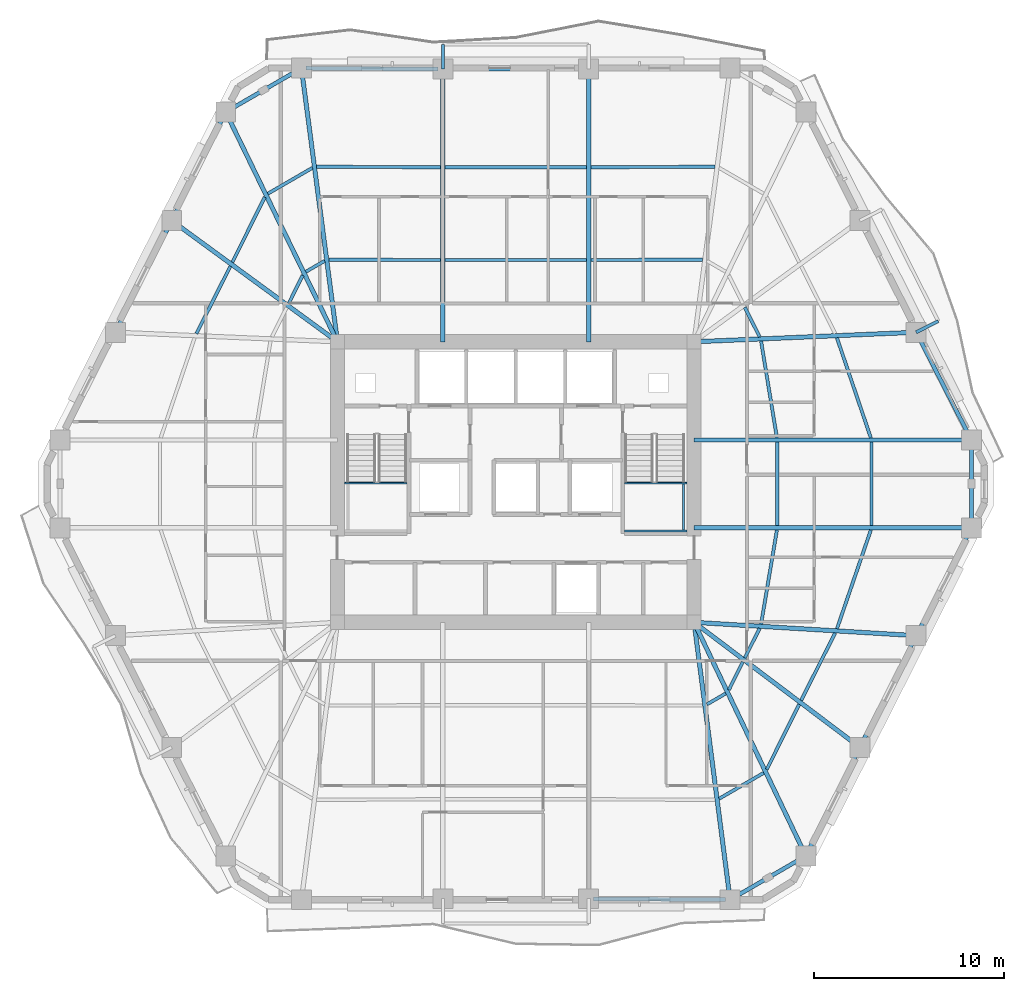
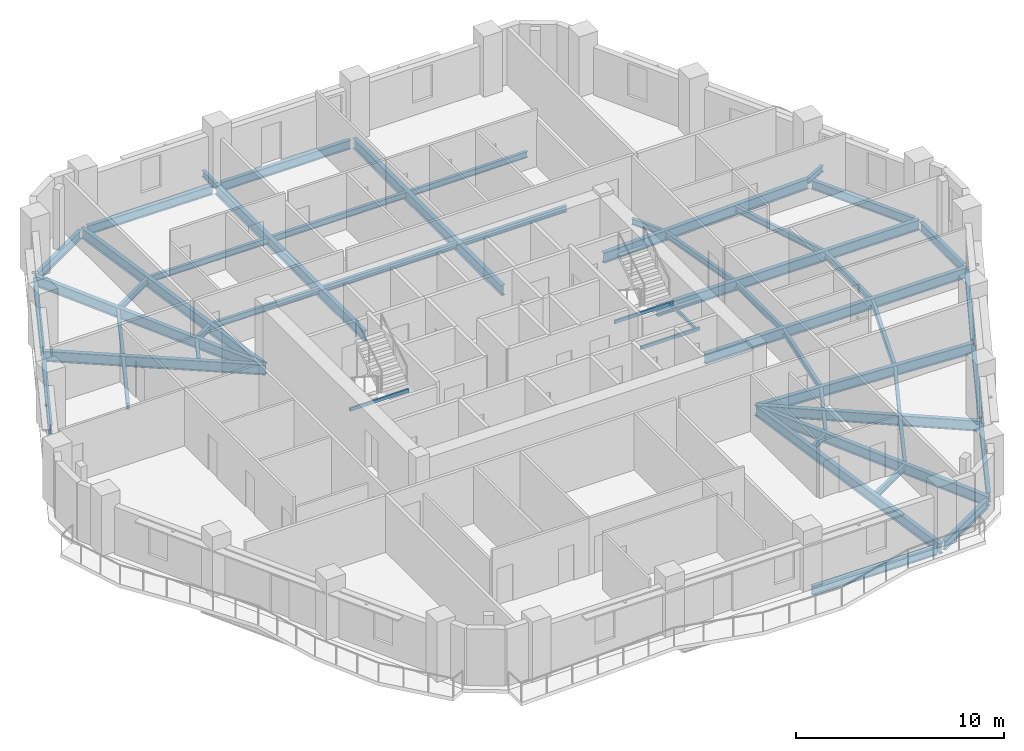
# One storey, part 2 of 12: 54 beams.
"""IFC4 building model written with IfcOpenShell, lengths in metres."""

from ifc_helpers import new_model, si_unit, direction, frame, origin, origin_2d, place, context, subcontext, project, spatial, hollow_rectangle, i_section, extrude, material, material_profile, profile_set, type_object, element, save


model = new_model("IFC4")

# Units and contexts
model_context = context("Model", 3, precision=1e-05, world=origin(), true_north=direction((0.0, 1.0)))
body_context = subcontext(model_context, "Body", "Model", "MODEL_VIEW")
ifc_project = project(units=[si_unit("LENGTHUNIT", "METRE"), si_unit("AREAUNIT", "SQUARE_METRE"), si_unit("VOLUMEUNIT", "CUBIC_METRE"), si_unit("PLANEANGLEUNIT", "RADIAN"), si_unit("MASSUNIT", "GRAM", prefix="KILO")], contexts=[model_context])

# Site, building, storey
site_placement = place(None, origin())
site = spatial("IfcSite", under=ifc_project, at=site_placement, CompositionType="ELEMENT")
building_placement = place(site_placement, origin())
building = spatial("IfcBuilding", under=site, at=building_placement, Name="Cinnabar Lancet Tower", CompositionType="ELEMENT")
storey_placement = place(building_placement, frame((0.0, 0.0, 109.050048828125)))
storey = spatial("IfcBuildingStorey", under=building, at=storey_placement, Name="L28", CompositionType="ELEMENT", Elevation=109.050048828125)

# Beams
ifc_material_1 = material(Name="Structural steel S355", Category="steel")
ifc_material_profile_1 = material_profile(ifc_material_1, i_section(OverallWidth=0.17138671875, OverallDepth=0.35498046875, WebThickness=0.00732421875, FlangeThickness=0.011474609375, FilletRadius=0.01025390625, at=origin_2d()), Name="UKB 356x171x51")
ifc_profile_set_1 = profile_set([ifc_material_profile_1], Name="Structural steel S355")
beam_type_1 = type_object("IfcBeamType", Name="STR-BM-JST-356", PredefinedType="JOIST", material=ifc_profile_set_1)
beam_1_placement = place(storey_placement, frame((43.093994140625, 9.251953125, -0.386962890625), z_axis=(0.865172906898, 0.501473669469, 0.0), x_axis=(-0.501473669469, 0.865172906898, 0.0)))
element("IfcBeam", 1, at=beam_1_placement, inside=storey, type_object=beam_type_1, Name="L28 Secondary Floor Joist 15", PredefinedType="JOIST", context=body_context, shape_type="SweptSolid", body=[
    extrude(i_section(OverallWidth=0.17138671875, OverallDepth=0.35498046875, WebThickness=0.00732421875, FlangeThickness=0.011474609375, FilletRadius=0.01025390625, at=origin_2d()), origin(), (0.0, 0.0, 1.0), 2.705810546875),
])
beam_2_placement = place(storey_placement, frame((42.449951171875, 14.2109375, -0.386962890625), z_axis=(0.865055308165, 0.501676503154, 0.0), x_axis=(-0.501676503154, 0.865055308165, 0.0)))
element("IfcBeam", 2, at=beam_2_placement, inside=storey, type_object=beam_type_1, Name="L28 Secondary Floor Joist 16", PredefinedType="JOIST", context=body_context, shape_type="SweptSolid", body=[
    extrude(i_section(OverallWidth=0.17138671875, OverallDepth=0.35498046875, WebThickness=0.00732421875, FlangeThickness=0.011474609375, FilletRadius=0.01025390625, at=origin_2d()), origin(), (0.0, 0.0, 1.0), 1.14208984375),
])
beam_3_placement = place(storey_placement, frame((45.59912109375, 10.7958984375, -0.386962890625), z_axis=(0.445295120803, 0.895383859241, 0.0), x_axis=(-0.895383859241, 0.445295120803, 0.0)))
element("IfcBeam", 3, at=beam_3_placement, inside=storey, type_object=beam_type_1, Name="L28 Secondary Floor Joist 17", PredefinedType="JOIST", context=body_context, shape_type="SweptSolid", body=[
    extrude(i_section(OverallWidth=0.17138671875, OverallDepth=0.35498046875, WebThickness=0.00732421875, FlangeThickness=0.011474609375, FilletRadius=0.01025390625, at=origin_2d()), origin(), (0.0, 0.0, 1.0), 3.81982421875),
])
beam_4_placement = place(storey_placement, frame((43.60205078125, 14.970947265625, -0.386962890625), z_axis=(0.44543923568, 0.895312173109, 0.0), x_axis=(-0.895312173109, 0.44543923568, 0.0)))
element("IfcBeam", 4, at=beam_4_placement, inside=storey, type_object=beam_type_1, Name="L28 Secondary Floor Joist 18", PredefinedType="JOIST", context=body_context, shape_type="SweptSolid", body=[
    extrude(i_section(OverallWidth=0.17138671875, OverallDepth=0.35498046875, WebThickness=0.00732421875, FlangeThickness=0.011474609375, FilletRadius=0.01025390625, at=origin_2d()), origin(), (0.0, 0.0, 1.0), 1.65185546875),
])
beam_5_placement = place(storey_placement, frame((47.404052734375, 14.424072265625, -0.386962890625), z_axis=(0.450706028652, 0.892672434736, 0.0), x_axis=(-0.892672434736, 0.450706028652, 0.0)))
element("IfcBeam", 5, at=beam_5_placement, inside=storey, type_object=beam_type_1, Name="L28 Secondary Floor Joist 19", PredefinedType="JOIST", context=body_context, shape_type="SweptSolid", body=[
    extrude(i_section(OverallWidth=0.17138671875, OverallDepth=0.35498046875, WebThickness=0.00732421875, FlangeThickness=0.011474609375, FilletRadius=0.01025390625, at=origin_2d()), origin(), (0.0, 0.0, 1.0), 3.966796875),
])
beam_6_placement = place(storey_placement, frame((44.44091796875, 16.657958984375, -0.386962890625), z_axis=(0.450874341268, 0.892587434589, 0.0), x_axis=(-0.892587434589, 0.450874341268, 0.0)))
element("IfcBeam", 6, at=beam_6_placement, inside=storey, type_object=beam_type_1, Name="L28 Secondary Floor Joist 20", PredefinedType="JOIST", context=body_context, shape_type="SweptSolid", body=[
    extrude(i_section(OverallWidth=0.17138671875, OverallDepth=0.35498046875, WebThickness=0.00732421875, FlangeThickness=0.011474609375, FilletRadius=0.01025390625, at=origin_2d()), origin(), (0.0, 0.0, 1.0), 1.732177734375),
])
beam_7_placement = place(storey_placement, frame((49.287109375, 18.18798828125, -0.386962890625), z_axis=(0.324639458548, 0.945837841257, 0.0), x_axis=(-0.945837841257, 0.324639458548, 0.0)))
element("IfcBeam", 7, at=beam_7_placement, inside=storey, type_object=beam_type_1, Name="L28 Secondary Floor Joist 21", PredefinedType="JOIST", context=body_context, shape_type="SweptSolid", body=[
    extrude(i_section(OverallWidth=0.17138671875, OverallDepth=0.35498046875, WebThickness=0.00732421875, FlangeThickness=0.011474609375, FilletRadius=0.01025390625, at=origin_2d()), origin(), (0.0, 0.0, 1.0), 5.486083984375),
])
beam_8_placement = place(storey_placement, frame((45.297119140625, 18.427978515625, -0.386962890625), z_axis=(0.165937104691, 0.986136338082, 0.0), x_axis=(-0.986136338082, 0.165937104691, 0.0)))
element("IfcBeam", 8, at=beam_8_placement, inside=storey, type_object=beam_type_1, Name="L28 Secondary Floor Joist 22", PredefinedType="JOIST", context=body_context, shape_type="SweptSolid", body=[
    extrude(i_section(OverallWidth=0.17138671875, OverallDepth=0.35498046875, WebThickness=0.00732421875, FlangeThickness=0.011474609375, FilletRadius=0.01025390625, at=origin_2d()), origin(), (0.0, 0.0, 1.0), 5.0185546875),
])
for number, where, z_axis, x_axis, name in (
    (9, (51.10693359375, 23.60498046875, -0.386962890625), (0.0, 1.0, 0.0), (-1.0, 0.0, 0.0), "L28 Secondary Floor Joist 23"),
    (10, (46.14990234375, 23.60498046875, -0.386962890625), (0.0, 1.0, 0.0), (-1.0, 0.0, 0.0), "L28 Secondary Floor Joist 24"),
):
    element("IfcBeam", number, at=place(storey_placement, frame(where, z_axis=z_axis, x_axis=x_axis)), inside=storey, type_object=beam_type_1, Name=name, PredefinedType="JOIST", context=body_context, shape_type="SweptSolid", body=[
        extrude(i_section(OverallWidth=0.17138671875, OverallDepth=0.35498046875, WebThickness=0.00732421875, FlangeThickness=0.011474609375, FilletRadius=0.01025390625, at=origin_2d()), origin(), (0.0, 0.0, 1.0), 4.39013671875),
    ])
beam_9_placement = place(storey_placement, frame((51.069091796875, 28.222900390625, -0.386962890625), z_axis=(-0.321063338019, 0.947057724207, 0.0), x_axis=(-0.947057724207, -0.321063338019, 0.0)))
element("IfcBeam", 11, at=beam_9_placement, inside=storey, type_object=beam_type_1, Name="L28 Secondary Floor Joist 25", PredefinedType="JOIST", context=body_context, shape_type="SweptSolid", body=[
    extrude(i_section(OverallWidth=0.17138671875, OverallDepth=0.35498046875, WebThickness=0.00732421875, FlangeThickness=0.011474609375, FilletRadius=0.01025390625, at=origin_2d()), origin(), (0.0, 0.0, 1.0), 5.553955078125),
])
beam_10_placement = place(storey_placement, frame((46.131103515625, 28.222900390625, -0.386962890625), z_axis=(-0.161719098977, 0.986836832017, 0.0), x_axis=(-0.986836832017, -0.161719098977, 0.0)))
element("IfcBeam", 12, at=beam_10_placement, inside=storey, type_object=beam_type_1, Name="L28 Secondary Floor Joist 26", PredefinedType="JOIST", context=body_context, shape_type="SweptSolid", body=[
    extrude(i_section(OverallWidth=0.17138671875, OverallDepth=0.35498046875, WebThickness=0.00732421875, FlangeThickness=0.011474609375, FilletRadius=0.01025390625, at=origin_2d()), origin(), (0.0, 0.0, 1.0), 5.156982421875),
])
beam_11_placement = place(storey_placement, frame((45.221923828125, 33.537109375, -0.386962890625), z_axis=(-0.450931068976, 0.892558777354, 0.0), x_axis=(-0.892558777354, -0.450931068976, 0.0)))
element("IfcBeam", 13, at=beam_11_placement, inside=storey, type_object=beam_type_1, Name="L28 Secondary Floor Joist 28", PredefinedType="JOIST", context=body_context, shape_type="SweptSolid", body=[
    extrude(i_section(OverallWidth=0.17138671875, OverallDepth=0.35498046875, WebThickness=0.00732421875, FlangeThickness=0.011474609375, FilletRadius=0.01025390625, at=origin_2d()), origin(), (0.0, 0.0, 1.0), 1.73193359375),
])
beam_12_placement = place(storey_placement, frame((42.8720703125, 42.48095703125, -0.386962890625), z_axis=(-0.999987991898, -0.004900618269, 0.0), x_axis=(0.004900618269, -0.999987991898, 0.0)))
element("IfcBeam", 14, at=beam_12_placement, inside=storey, type_object=beam_type_1, Name="L28 Secondary Floor Joist 33", PredefinedType="JOIST", context=body_context, shape_type="SweptSolid", body=[
    extrude(i_section(OverallWidth=0.17138671875, OverallDepth=0.35498046875, WebThickness=0.00732421875, FlangeThickness=0.011474609375, FilletRadius=0.01025390625, at=origin_2d()), origin(), (0.0, 0.0, 1.0), 6.526123046875),
])
beam_13_placement = place(storey_placement, frame((42.22802734375, 37.591064453125, -0.386962890625), z_axis=(-0.999996247906, -0.002739374605, 0.0), x_axis=(0.002739374605, -0.999996247906, 0.0)))
element("IfcBeam", 15, at=beam_13_placement, inside=storey, type_object=beam_type_1, Name="L28 Secondary Floor Joist 34", PredefinedType="JOIST", context=body_context, shape_type="SweptSolid", body=[
    extrude(i_section(OverallWidth=0.17138671875, OverallDepth=0.35498046875, WebThickness=0.00732421875, FlangeThickness=0.011474609375, FilletRadius=0.01025390625, at=origin_2d()), origin(), (0.0, 0.0, 1.0), 5.882080078125),
])
for number, where, z_axis, x_axis, name in (
    (16, (36.117919921875, 42.447998046875, -0.386962890625), (-1.0, 0.0, 0.0), (0.0, -1.0, 0.0), "L28 Secondary Floor Joist 35"),
    (17, (36.117919921875, 37.574951171875, -0.386962890625), (-1.0, 0.0, 0.0), (0.0, -1.0, 0.0), "L28 Secondary Floor Joist 36"),
):
    element("IfcBeam", number, at=place(storey_placement, frame(where, z_axis=z_axis, x_axis=x_axis)), inside=storey, type_object=beam_type_1, Name=name, PredefinedType="JOIST", context=body_context, shape_type="SweptSolid", body=[
        extrude(i_section(OverallWidth=0.17138671875, OverallDepth=0.35498046875, WebThickness=0.00732421875, FlangeThickness=0.011474609375, FilletRadius=0.01025390625, at=origin_2d()), origin(), (0.0, 0.0, 1.0), 7.43603515625),
    ])
beam_14_placement = place(storey_placement, frame((28.4541015625, 42.448974609375, -0.386962890625), z_axis=(-0.999987991898, 0.004900618269, 0.0), x_axis=(-0.004900618269, -0.999987991898, 0.0)))
element("IfcBeam", 18, at=beam_14_placement, inside=storey, type_object=beam_type_1, Name="L28 Secondary Floor Joist 37", PredefinedType="JOIST", context=body_context, shape_type="SweptSolid", body=[
    extrude(i_section(OverallWidth=0.17138671875, OverallDepth=0.35498046875, WebThickness=0.00732421875, FlangeThickness=0.011474609375, FilletRadius=0.01025390625, at=origin_2d()), origin(), (0.0, 0.0, 1.0), 6.526123046875),
])
beam_15_placement = place(storey_placement, frame((28.4541015625, 37.574951171875, -0.386962890625), z_axis=(-0.999996247906, 0.002739374605, 0.0), x_axis=(-0.002739374605, -0.999996247906, 0.0)))
element("IfcBeam", 19, at=beam_15_placement, inside=storey, type_object=beam_type_1, Name="L28 Secondary Floor Joist 38", PredefinedType="JOIST", context=body_context, shape_type="SweptSolid", body=[
    extrude(i_section(OverallWidth=0.17138671875, OverallDepth=0.35498046875, WebThickness=0.00732421875, FlangeThickness=0.011474609375, FilletRadius=0.01025390625, at=origin_2d()), origin(), (0.0, 0.0, 1.0), 5.882080078125),
])
beam_16_placement = place(storey_placement, frame((21.7060546875, 42.419921875, -0.386962890625), z_axis=(-0.865172906898, -0.501473669469, 0.0), x_axis=(0.501473669469, -0.865172906898, 0.0)))
element("IfcBeam", 20, at=beam_16_placement, inside=storey, type_object=beam_type_1, Name="L28 Secondary Floor Joist 39", PredefinedType="JOIST", context=body_context, shape_type="SweptSolid", body=[
    extrude(i_section(OverallWidth=0.17138671875, OverallDepth=0.35498046875, WebThickness=0.00732421875, FlangeThickness=0.011474609375, FilletRadius=0.01025390625, at=origin_2d()), origin(), (0.0, 0.0, 1.0), 2.705810546875),
])
beam_17_placement = place(storey_placement, frame((22.35009765625, 37.529052734375, -0.386962890625), z_axis=(-0.865055308165, -0.501676503154, 0.0), x_axis=(0.501676503154, -0.865055308165, 0.0)))
element("IfcBeam", 21, at=beam_17_placement, inside=storey, type_object=beam_type_1, Name="L28 Secondary Floor Joist 40", PredefinedType="JOIST", context=body_context, shape_type="SweptSolid", body=[
    extrude(i_section(OverallWidth=0.17138671875, OverallDepth=0.35498046875, WebThickness=0.00732421875, FlangeThickness=0.011474609375, FilletRadius=0.01025390625, at=origin_2d()), origin(), (0.0, 0.0, 1.0), 1.14208984375),
])
beam_18_placement = place(storey_placement, frame((19.200927734375, 40.876953125, -0.386962890625), z_axis=(-0.445116798807, -0.895472520751, 0.0), x_axis=(0.895472520751, -0.445116798807, 0.0)))
element("IfcBeam", 22, at=beam_18_placement, inside=storey, type_object=beam_type_1, Name="L28 Secondary Floor Joist 41", PredefinedType="JOIST", context=body_context, shape_type="SweptSolid", body=[
    extrude(i_section(OverallWidth=0.17138671875, OverallDepth=0.35498046875, WebThickness=0.00732421875, FlangeThickness=0.011474609375, FilletRadius=0.01025390625, at=origin_2d()), origin(), (0.0, 0.0, 1.0), 3.8212890625),
])
beam_19_placement = place(storey_placement, frame((21.198974609375, 36.77001953125, -0.386962890625), z_axis=(-0.445795466264, -0.895134851438, 0.0), x_axis=(0.895134851438, -0.445795466264, 0.0)))
element("IfcBeam", 23, at=beam_19_placement, inside=storey, type_object=beam_type_1, Name="L28 Secondary Floor Joist 42", PredefinedType="JOIST", context=body_context, shape_type="SweptSolid", body=[
    extrude(i_section(OverallWidth=0.17138671875, OverallDepth=0.35498046875, WebThickness=0.00732421875, FlangeThickness=0.011474609375, FilletRadius=0.01025390625, at=origin_2d()), origin(), (0.0, 0.0, 1.0), 1.6533203125),
])
beam_20_placement = place(storey_placement, frame((17.39599609375, 37.2490234375, -0.386962890625), z_axis=(-0.450656035687, -0.892697674187, 0.0), x_axis=(0.892697674187, -0.450656035687, 0.0)))
element("IfcBeam", 24, at=beam_20_placement, inside=storey, type_object=beam_type_1, Name="L28 Secondary Floor Joist 43", PredefinedType="JOIST", context=body_context, shape_type="SweptSolid", body=[
    extrude(i_section(OverallWidth=0.17138671875, OverallDepth=0.35498046875, WebThickness=0.00732421875, FlangeThickness=0.011474609375, FilletRadius=0.01025390625, at=origin_2d()), origin(), (0.0, 0.0, 1.0), 3.9677734375),
])
ifc_material_2 = material(Name="Structural steel S355", Category="steel")
ifc_material_profile_2 = material_profile(ifc_material_2, hollow_rectangle(XDim=0.10009765625, YDim=0.199951171875, WallThickness=0.008056640625, InnerFilletRadius=0.00390625, OuterFilletRadius=0.011962890625, at=origin_2d()), Name="RHS 200x100x8")
ifc_profile_set_2 = profile_set([ifc_material_profile_2], Name="Structural steel S355")
beam_type_2 = type_object("IfcBeamType", Name="STR-BM-LND-203", PredefinedType="BEAM", material=ifc_profile_set_2)
beam_21_placement = place(storey_placement, frame((23.39990234375, 25.844970703125, 1.474853515625), z_axis=(1.0, 0.0, 0.0), x_axis=(0.0, 1.0, 0.0)))
element("IfcBeam", 25, at=beam_21_placement, inside=storey, type_object=beam_type_2, Name="L28 ST-1-L28 Landing Support Beam N", PredefinedType="BEAM", context=body_context, shape_type="SweptSolid", body=[
    extrude(hollow_rectangle(XDim=0.10009765625, YDim=0.199951171875, WallThickness=0.008056640625, InnerFilletRadius=0.00390625, OuterFilletRadius=0.011962890625, at=origin_2d()), origin(), (0.0, 0.0, 1.0), 3.280029296875),
])
for number, where, z_axis, x_axis, name in (
    (26, (38.1201171875, 23.330078125, 1.474853515625), (1.0, 0.0, 0.0), (0.0, 1.0, 0.0), "L28 ST-2-L28 Landing Support Beam S"),
    (27, (38.1201171875, 25.844970703125, 1.474853515625), (1.0, 0.0, 0.0), (0.0, 1.0, 0.0), "L28 ST-2-L28 Landing Support Beam N"),
):
    element("IfcBeam", number, at=place(storey_placement, frame(where, z_axis=z_axis, x_axis=x_axis)), inside=storey, type_object=beam_type_2, Name=name, PredefinedType="BEAM", context=body_context, shape_type="SweptSolid", body=[
        extrude(hollow_rectangle(XDim=0.10009765625, YDim=0.199951171875, WallThickness=0.008056640625, InnerFilletRadius=0.00390625, OuterFilletRadius=0.011962890625, at=origin_2d()), origin(), (0.0, 0.0, 1.0), 3.27978515625),
    ])
beam_22_placement = place(storey_placement, frame((41.219970703125, 23.3798828125, 1.474853515625), z_axis=(0.0, 1.0, 0.0), x_axis=(-1.0, 0.0, 0.0)))
element("IfcBeam", 28, at=beam_22_placement, inside=storey, type_object=beam_type_2, Name="L28 ST-2-L28 Landing Side Trimmer Beam", PredefinedType="BEAM", context=body_context, shape_type="SweptSolid", body=[
    extrude(hollow_rectangle(XDim=0.10009765625, YDim=0.199951171875, WallThickness=0.008056640625, InnerFilletRadius=0.00390625, OuterFilletRadius=0.011962890625, at=origin_2d()), origin(), (0.0, 0.0, 1.0), 2.4150390625),
])
ifc_material_3 = material(Name="Structural steel S355", Category="steel")
ifc_material_profile_3 = material_profile(ifc_material_3, i_section(OverallWidth=0.209228515625, OverallDepth=0.533203125, WebThickness=0.010009765625, FlangeThickness=0.015625, FilletRadius=0.0126953125, at=origin_2d()), Name="UKB 533x210x92")
ifc_profile_set_3 = profile_set([ifc_material_profile_3], Name="Structural steel S355")
beam_type_3 = type_object("IfcBeamType", Name="STR-BM-SPN-533", PredefinedType="SPANDREL", material=ifc_profile_set_3)
beam_23_placement = place(storey_placement, frame((36.48193359375, 3.989990234375, -0.47705078125), z_axis=(0.999974980359, -0.007073800628, 0.0), x_axis=(0.007073800628, 0.999974980359, 0.0)))
element("IfcBeam", 29, at=beam_23_placement, inside=storey, type_object=beam_type_3, Name="L28 Perimeter Spandrel 3", PredefinedType="SPANDREL", context=body_context, shape_type="SweptSolid", body=[
    extrude(i_section(OverallWidth=0.209228515625, OverallDepth=0.533203125, WebThickness=0.010009765625, FlangeThickness=0.015625, FilletRadius=0.0126953125, at=origin_2d()), origin(), (0.0, 0.0, 1.0), 6.937255859375),
])
beam_24_placement = place(storey_placement, frame((43.885009765625, 4.06396484375, -0.47705078125), z_axis=(0.865112299906, 0.501578217781, 0.0), x_axis=(-0.501578217781, 0.865112299906, 0.0)))
element("IfcBeam", 30, at=beam_24_placement, inside=storey, type_object=beam_type_3, Name="L28 Perimeter Spandrel 4", PredefinedType="SPANDREL", context=body_context, shape_type="SweptSolid", body=[
    extrude(i_section(OverallWidth=0.209228515625, OverallDepth=0.533203125, WebThickness=0.010009765625, FlangeThickness=0.015625, FilletRadius=0.0126953125, at=origin_2d()), origin(), (0.0, 0.0, 1.0), 4.101318359375),
])
beam_25_placement = place(storey_placement, frame((47.760009765625, 6.469970703125, -0.47705078125), z_axis=(0.445501068635, 0.89528140707, 0.0), x_axis=(-0.89528140707, 0.445501068635, 0.0)))
element("IfcBeam", 31, at=beam_25_placement, inside=storey, type_object=beam_type_3, Name="L28 Perimeter Spandrel 5", PredefinedType="SPANDREL", context=body_context, shape_type="SweptSolid", body=[
    extrude(i_section(OverallWidth=0.209228515625, OverallDepth=0.533203125, WebThickness=0.010009765625, FlangeThickness=0.015625, FilletRadius=0.0126953125, at=origin_2d()), origin(), (0.0, 0.0, 1.0), 5.87646484375),
])
beam_26_placement = place(storey_placement, frame((50.60205078125, 12.177978515625, -0.47705078125), z_axis=(0.450570325924, 0.892740937449, 0.0), x_axis=(-0.892740937449, 0.450570325924, 0.0)))
element("IfcBeam", 32, at=beam_26_placement, inside=storey, type_object=beam_type_3, Name="L28 Perimeter Spandrel 6", PredefinedType="SPANDREL", context=body_context, shape_type="SweptSolid", body=[
    extrude(i_section(OverallWidth=0.209228515625, OverallDepth=0.533203125, WebThickness=0.010009765625, FlangeThickness=0.015625, FilletRadius=0.0126953125, at=origin_2d()), origin(), (0.0, 0.0, 1.0), 6.07470703125),
])
beam_27_placement = place(storey_placement, frame((53.56591796875, 18.0458984375, -0.47705078125), z_axis=(0.456109733574, 0.889923542187, 0.0), x_axis=(-0.889923542187, 0.456109733574, 0.0)))
element("IfcBeam", 33, at=beam_27_placement, inside=storey, type_object=beam_type_3, Name="L28 Perimeter Spandrel 7", PredefinedType="SPANDREL", context=body_context, shape_type="SweptSolid", body=[
    extrude(i_section(OverallWidth=0.209228515625, OverallDepth=0.533203125, WebThickness=0.010009765625, FlangeThickness=0.015625, FilletRadius=0.0126953125, at=origin_2d()), origin(), (0.0, 0.0, 1.0), 5.869140625),
])
beam_28_placement = place(storey_placement, frame((56.35693359375, 23.740966796875, -0.47705078125), z_axis=(0.0, 1.0, 0.0), x_axis=(-1.0, 0.0, 0.0)))
element("IfcBeam", 34, at=beam_28_placement, inside=storey, type_object=beam_type_3, Name="L28 Perimeter Spandrel 8", PredefinedType="SPANDREL", context=body_context, shape_type="SweptSolid", body=[
    extrude(i_section(OverallWidth=0.209228515625, OverallDepth=0.533203125, WebThickness=0.010009765625, FlangeThickness=0.015625, FilletRadius=0.0126953125, at=origin_2d()), origin(), (0.0, 0.0, 1.0), 4.117919921875),
])
beam_29_placement = place(storey_placement, frame((56.242919921875, 28.3310546875, -0.47705078125), z_axis=(-0.456126618405, 0.889914888055, 0.0), x_axis=(-0.889914888055, -0.456126618405, 0.0)))
element("IfcBeam", 35, at=beam_29_placement, inside=storey, type_object=beam_type_3, Name="L28 Perimeter Spandrel 9", PredefinedType="SPANDREL", context=body_context, shape_type="SweptSolid", body=[
    extrude(i_section(OverallWidth=0.209228515625, OverallDepth=0.533203125, WebThickness=0.010009765625, FlangeThickness=0.015625, FilletRadius=0.0126953125, at=origin_2d()), origin(), (0.0, 0.0, 1.0), 5.868896484375),
])
beam_30_placement = place(storey_placement, frame((35.98193359375, 47.60791015625, -0.47705078125), z_axis=(-1.0, 0.0, 0.0), x_axis=(0.0, -1.0, 0.0)))
element("IfcBeam", 36, at=beam_30_placement, inside=storey, type_object=beam_type_3, Name="L28 Perimeter Spandrel 14", PredefinedType="SPANDREL", context=body_context, shape_type="SweptSolid", body=[
    extrude(i_section(OverallWidth=0.209228515625, OverallDepth=0.533203125, WebThickness=0.010009765625, FlangeThickness=0.015625, FilletRadius=0.0126953125, at=origin_2d()), origin(), (0.0, 0.0, 1.0), 7.163818359375),
])
beam_31_placement = place(storey_placement, frame((28.318115234375, 47.610107421875, -0.47705078125), z_axis=(-0.999975228682, 0.007038609338, 0.0), x_axis=(-0.007038609338, -0.999975228682, 0.0)))
element("IfcBeam", 37, at=beam_31_placement, inside=storey, type_object=beam_type_3, Name="L28 Perimeter Spandrel 15", PredefinedType="SPANDREL", context=body_context, shape_type="SweptSolid", body=[
    extrude(i_section(OverallWidth=0.209228515625, OverallDepth=0.533203125, WebThickness=0.010009765625, FlangeThickness=0.015625, FilletRadius=0.0126953125, at=origin_2d()), origin(), (0.0, 0.0, 1.0), 6.937255859375),
])
beam_32_placement = place(storey_placement, frame((20.9150390625, 47.535888671875, -0.47705078125), z_axis=(-0.865138129765, -0.5015336643, 0.0), x_axis=(0.5015336643, -0.865138129765, 0.0)))
element("IfcBeam", 38, at=beam_32_placement, inside=storey, type_object=beam_type_3, Name="L28 Perimeter Spandrel 16", PredefinedType="SPANDREL", context=body_context, shape_type="SweptSolid", body=[
    extrude(i_section(OverallWidth=0.209228515625, OverallDepth=0.533203125, WebThickness=0.010009765625, FlangeThickness=0.015625, FilletRadius=0.0126953125, at=origin_2d()), origin(), (0.0, 0.0, 1.0), 4.10107421875),
])
beam_33_placement = place(storey_placement, frame((17.0400390625, 45.1298828125, -0.47705078125), z_axis=(-0.445501068635, -0.89528140707, 0.0), x_axis=(0.89528140707, -0.445501068635, 0.0)))
element("IfcBeam", 39, at=beam_33_placement, inside=storey, type_object=beam_type_3, Name="L28 Perimeter Spandrel 17", PredefinedType="SPANDREL", context=body_context, shape_type="SweptSolid", body=[
    extrude(i_section(OverallWidth=0.209228515625, OverallDepth=0.533203125, WebThickness=0.010009765625, FlangeThickness=0.015625, FilletRadius=0.0126953125, at=origin_2d()), origin(), (0.0, 0.0, 1.0), 5.87646484375),
])
beam_34_placement = place(storey_placement, frame((14.197998046875, 39.422119140625, -0.47705078125), z_axis=(-0.450570325924, -0.892740937449, 0.0), x_axis=(0.892740937449, -0.450570325924, 0.0)))
element("IfcBeam", 40, at=beam_34_placement, inside=storey, type_object=beam_type_3, Name="L28 Perimeter Spandrel 18", PredefinedType="SPANDREL", context=body_context, shape_type="SweptSolid", body=[
    extrude(i_section(OverallWidth=0.209228515625, OverallDepth=0.533203125, WebThickness=0.010009765625, FlangeThickness=0.015625, FilletRadius=0.0126953125, at=origin_2d()), origin(), (0.0, 0.0, 1.0), 6.07470703125),
])
ifc_material_4 = material(Name="Structural steel S355", Category="steel")
ifc_material_profile_4 = material_profile(ifc_material_4, i_section(OverallWidth=0.228271484375, OverallDepth=0.607666015625, WebThickness=0.010986328125, FlangeThickness=0.017333984375, FilletRadius=0.0126953125, at=origin_2d()), Name="UKB 610x229x113")
ifc_profile_set_4 = profile_set([ifc_material_profile_4], Name="Structural steel S355")
beam_type_4 = type_object("IfcBeamType", Name="STR-BM-UKB610-113", PredefinedType="BEAM", material=ifc_profile_set_4)
beam_35_placement = place(storey_placement, frame((50.489013671875, 11.955078125, -0.51416015625), z_axis=(-0.798491457835, 0.602006139308, 0.0), x_axis=(-0.602006139308, -0.798491457835, 0.0)))
element("IfcBeam", 41, at=beam_35_placement, inside=storey, type_object=beam_type_4, Name="L28 Corner Collector Girder 2", PredefinedType="BEAM", context=body_context, shape_type="SweptSolid", body=[
    extrude(i_section(OverallWidth=0.228271484375, OverallDepth=0.607666015625, WebThickness=0.010986328125, FlangeThickness=0.017333984375, FilletRadius=0.0126953125, at=origin_2d()), origin(), (0.0, 0.0, 1.0), 10.913330078125),
])
beam_36_placement = place(storey_placement, frame((14.31103515625, 39.64501953125, -0.51416015625), z_axis=(0.807289993592, -0.590154951048, 0.0), x_axis=(0.590154951048, 0.807289993592, 0.0)))
element("IfcBeam", 42, at=beam_36_placement, inside=storey, type_object=beam_type_4, Name="L28 Corner Collector Girder 4", PredefinedType="BEAM", context=body_context, shape_type="SweptSolid", body=[
    extrude(i_section(OverallWidth=0.228271484375, OverallDepth=0.607666015625, WebThickness=0.010986328125, FlangeThickness=0.017333984375, FilletRadius=0.0126953125, at=origin_2d()), origin(), (0.0, 0.0, 1.0), 10.7939453125),
])
beam_37_placement = place(storey_placement, frame((43.6689453125, 3.93896484375, -0.51416015625), z_axis=(-0.12877289353, 0.99167411073, 0.0), x_axis=(-0.99167411073, -0.12877289353, 0.0)))
element("IfcBeam", 43, at=beam_37_placement, inside=storey, type_object=beam_type_4, Name="L28 Primary Floor Girder 4", PredefinedType="BEAM", context=body_context, shape_type="SweptSolid", body=[
    extrude(i_section(OverallWidth=0.228271484375, OverallDepth=0.607666015625, WebThickness=0.010986328125, FlangeThickness=0.017333984375, FilletRadius=0.0126953125, at=origin_2d()), origin(), (0.0, 0.0, 1.0), 14.70849609375),
])
beam_38_placement = place(storey_placement, frame((47.64892578125, 6.24609375, -0.51416015625), z_axis=(-0.431548156881, 0.902089900339, 0.0), x_axis=(-0.902089900339, -0.431548156881, 0.0)))
element("IfcBeam", 44, at=beam_38_placement, inside=storey, type_object=beam_type_4, Name="L28 Primary Floor Girder 5", PredefinedType="BEAM", context=body_context, shape_type="SweptSolid", body=[
    extrude(i_section(OverallWidth=0.228271484375, OverallDepth=0.607666015625, WebThickness=0.010986328125, FlangeThickness=0.017333984375, FilletRadius=0.0126953125, at=origin_2d()), origin(), (0.0, 0.0, 1.0), 13.611572265625),
])
beam_39_placement = place(storey_placement, frame((53.451904296875, 17.823974609375, -0.51416015625), z_axis=(-0.998203272991, 0.059918492897, 0.0), x_axis=(-0.059918492897, -0.998203272991, 0.0)))
element("IfcBeam", 45, at=beam_39_placement, inside=storey, type_object=beam_type_4, Name="L28 Primary Floor Girder 7", PredefinedType="BEAM", context=body_context, shape_type="SweptSolid", body=[
    extrude(i_section(OverallWidth=0.228271484375, OverallDepth=0.607666015625, WebThickness=0.010986328125, FlangeThickness=0.017333984375, FilletRadius=0.0126953125, at=origin_2d()), origin(), (0.0, 0.0, 1.0), 11.697998046875),
])
for number, where, z_axis, x_axis, name in (
    (46, (56.35693359375, 23.490966796875, -0.51416015625), (-1.0, 0.0, 0.0), (0.0, -1.0, 0.0), "L28 Primary Floor Girder 8"),
    (47, (56.35693359375, 28.10888671875, -0.51416015625), (-1.0, 0.0, 0.0), (0.0, -1.0, 0.0), "L28 Primary Floor Girder 9"),
):
    element("IfcBeam", number, at=place(storey_placement, frame(where, z_axis=z_axis, x_axis=x_axis)), inside=storey, type_object=beam_type_4, Name=name, PredefinedType="BEAM", context=body_context, shape_type="SweptSolid", body=[
        extrude(i_section(OverallWidth=0.228271484375, OverallDepth=0.607666015625, WebThickness=0.010986328125, FlangeThickness=0.017333984375, FilletRadius=0.0126953125, at=origin_2d()), origin(), (0.0, 0.0, 1.0), 14.58203125),
    ])
beam_40_placement = place(storey_placement, frame((53.451904296875, 33.77587890625, -0.51416015625), z_axis=(-0.999080941658, -0.042863411158, 0.0), x_axis=(0.042863411158, -0.999080941658, 0.0)))
element("IfcBeam", 48, at=beam_40_placement, inside=storey, type_object=beam_type_4, Name="L28 Primary Floor Girder 10", PredefinedType="BEAM", context=body_context, shape_type="SweptSolid", body=[
    extrude(i_section(OverallWidth=0.228271484375, OverallDepth=0.607666015625, WebThickness=0.010986328125, FlangeThickness=0.017333984375, FilletRadius=0.0126953125, at=origin_2d()), origin(), (0.0, 0.0, 1.0), 11.687744140625),
])
for number, where, z_axis, x_axis, name in (
    (49, (36.23193359375, 47.60791015625, -0.51416015625), (0.0, -1.0, 0.0), (1.0, 0.0, 0.0), "L28 Primary Floor Girder 14"),
    (50, (28.568115234375, 47.60791015625, -0.51416015625), (0.0, -1.0, 0.0), (1.0, 0.0, 0.0), "L28 Primary Floor Girder 15"),
):
    element("IfcBeam", number, at=place(storey_placement, frame(where, z_axis=z_axis, x_axis=x_axis)), inside=storey, type_object=beam_type_4, Name=name, PredefinedType="BEAM", context=body_context, shape_type="SweptSolid", body=[
        extrude(i_section(OverallWidth=0.228271484375, OverallDepth=0.607666015625, WebThickness=0.010986328125, FlangeThickness=0.017333984375, FilletRadius=0.0126953125, at=origin_2d()), origin(), (0.0, 0.0, 1.0), 14.3330078125),
    ])
beam_41_placement = place(storey_placement, frame((21.131103515625, 47.660888671875, -0.51416015625), z_axis=(0.130515881524, -0.991446218748, 0.0), x_axis=(0.991446218748, 0.130515881524, 0.0)))
element("IfcBeam", 51, at=beam_41_placement, inside=storey, type_object=beam_type_4, Name="L28 Primary Floor Girder 16", PredefinedType="BEAM", context=body_context, shape_type="SweptSolid", body=[
    extrude(i_section(OverallWidth=0.228271484375, OverallDepth=0.607666015625, WebThickness=0.010986328125, FlangeThickness=0.017333984375, FilletRadius=0.0126953125, at=origin_2d()), origin(), (0.0, 0.0, 1.0), 14.510009765625),
])
beam_42_placement = place(storey_placement, frame((17.15087890625, 45.35400390625, -0.51416015625), z_axis=(0.437327473227, -0.899302330232, 0.0), x_axis=(0.899302330232, 0.437327473227, 0.0)))
element("IfcBeam", 52, at=beam_42_placement, inside=storey, type_object=beam_type_4, Name="L28 Primary Floor Girder 17", PredefinedType="BEAM", context=body_context, shape_type="SweptSolid", body=[
    extrude(i_section(OverallWidth=0.228271484375, OverallDepth=0.607666015625, WebThickness=0.010986328125, FlangeThickness=0.017333984375, FilletRadius=0.0126953125, at=origin_2d()), origin(), (0.0, 0.0, 1.0), 13.431640625),
])
ifc_material_5 = material(Name="Structural steel S355", Category="steel")
ifc_material_profile_5 = material_profile(ifc_material_5, i_section(OverallWidth=0.17138671875, OverallDepth=0.35498046875, WebThickness=0.00732421875, FlangeThickness=0.011474609375, FilletRadius=0.01025390625, at=origin_2d()), Name="UKB 356x171x51")
ifc_profile_set_5 = profile_set([ifc_material_profile_5], Name="Structural steel S355")
beam_type_5 = type_object("IfcBeamType", Name="STR-BM-WAV-OUT", PredefinedType="BEAM", material=ifc_profile_set_5)
beam_43_placement = place(storey_placement, frame((53.451904296875, 33.77587890625, -0.39697265625), z_axis=(0.892238560088, 0.451564338597, 0.0), x_axis=(-0.451564338597, 0.892238560088, 0.0)))
element("IfcBeam", 53, at=beam_43_placement, inside=storey, type_object=beam_type_5, Name="L28 Face 3 Balcony Outlooker A", PredefinedType="BEAM", context=body_context, shape_type="SweptSolid", body=[
    extrude(i_section(OverallWidth=0.17138671875, OverallDepth=0.35498046875, WebThickness=0.00732421875, FlangeThickness=0.011474609375, FilletRadius=0.01025390625, at=origin_2d()), origin(), (0.0, 0.0, 1.0), 1.30029296875),
])
beam_44_placement = place(storey_placement, frame((28.568115234375, 47.60791015625, -0.39697265625), z_axis=(0.0, 1.0, 0.0), x_axis=(-1.0, 0.0, 0.0)))
element("IfcBeam", 54, at=beam_44_placement, inside=storey, type_object=beam_type_5, Name="L28 Face 4 Balcony Outlooker B", PredefinedType="BEAM", context=body_context, shape_type="SweptSolid", body=[
    extrude(i_section(OverallWidth=0.17138671875, OverallDepth=0.35498046875, WebThickness=0.00732421875, FlangeThickness=0.011474609375, FilletRadius=0.01025390625, at=origin_2d()), origin(), (0.0, 0.0, 1.0), 1.300048828125),
])

save(model, "model.ifc")
